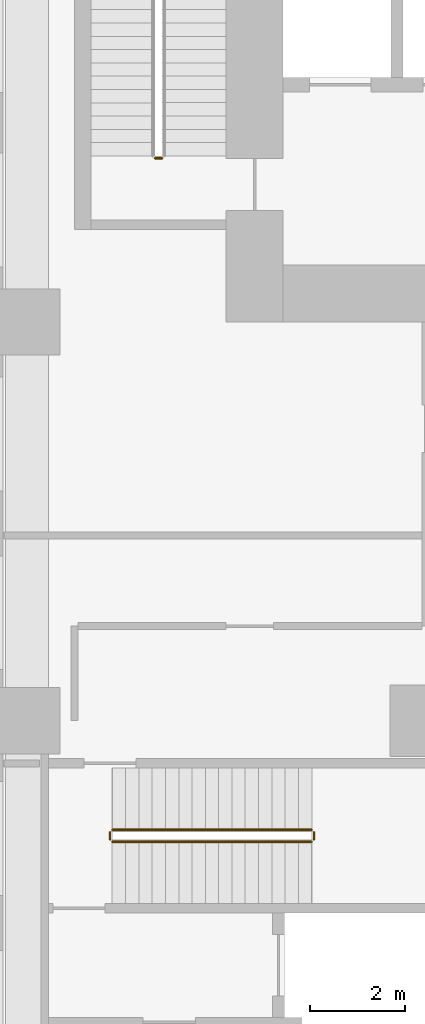
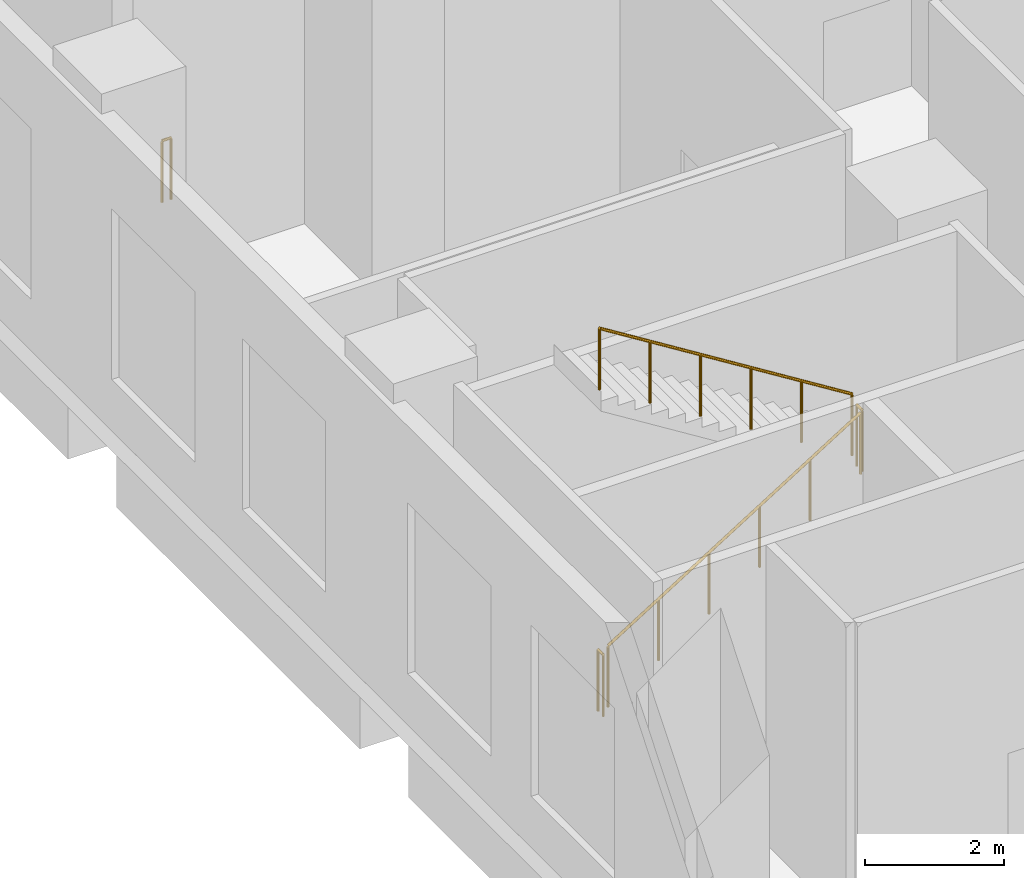
# One storey, part 13 of 17: 5 railings.
"""IFC4 building model written with IfcOpenShell, lengths in metres."""

from ifc_helpers import new_model, si_unit, direction, frame, origin, origin_2d, place, context, subcontext, project, spatial, circle, extrude, material, type_object, element, save


model = new_model("IFC4")

# Units and contexts
model_context = context("Model", 3, precision=1e-05, world=origin(), true_north=direction((0.0, 1.0)))
body_context = subcontext(model_context, "Body", "Model", "MODEL_VIEW")
ifc_project = project(units=[si_unit("LENGTHUNIT", "METRE"), si_unit("AREAUNIT", "SQUARE_METRE"), si_unit("VOLUMEUNIT", "CUBIC_METRE"), si_unit("PLANEANGLEUNIT", "RADIAN"), si_unit("MASSUNIT", "GRAM", prefix="KILO")], contexts=[model_context])

# Site, building, storey
site_placement = place(None, origin())
site = spatial("IfcSite", under=ifc_project, at=site_placement, CompositionType="ELEMENT")
building_placement = place(site_placement, origin())
building = spatial("IfcBuilding", under=site, at=building_placement, Name="Kawkab Arch Medical Tower", CompositionType="ELEMENT")
storey_placement = place(building_placement, frame((0.0, 0.0, 7.0)))
storey = spatial("IfcBuildingStorey", under=building, at=storey_placement, Name="L02", CompositionType="ELEMENT", Elevation=7.0)

# Railings
ifc_material = material(Name="Stainless steel", Category="steel")
railing_type = type_object("IfcRailingType", Name="Stair guard 1100", PredefinedType="GUARDRAIL", material=ifc_material)
railing_1_placement = place(storey_placement, frame((2.85009765625, -21.75, 0.0)))
element("IfcRailing", 1, at=railing_1_placement, inside=storey, type_object=railing_type, Name="L02 ST2 stair guard 4", PredefinedType="GUARDRAIL", context=body_context, shape_type="SweptSolid", body=[
    extrude(circle(Radius=0.02392578125, at=origin_2d()), frame((0.0, 0.0, 1.076171875), z_axis=(-1.0, 0.0, 0.0), x_axis=(0.0, -1.0, 0.0)), (0.0, 0.0, 1.0), 0.150146484375),
    extrude(circle(Radius=0.02099609375, at=origin_2d()), origin(), (0.0, 0.0, 1.0), 1.052001953125),
    extrude(circle(Radius=0.02099609375, at=origin_2d()), frame((-0.150146484375, 0.0, 0.0)), (0.0, 0.0, 1.0), 1.052001953125),
])
railing_2_placement = place(storey_placement, frame((1.800048828125, -36.14990234375, 0.175048828125)))
element("IfcRailing", 2, at=railing_2_placement, inside=storey, type_object=railing_type, Name="L02 ST6 stair guard 1", PredefinedType="GUARDRAIL", context=body_context, shape_type="SweptSolid", body=[
    extrude(circle(Radius=0.02392578125, at=origin_2d()), frame((0.0, 0.0, 1.076171875), z_axis=(0.847995534698, 0.0, 0.530003370869), x_axis=(0.0, 1.0, 0.0)), (0.0, 0.0, 1.0), 4.952880859375),
    extrude(circle(Radius=0.02099609375, at=origin_2d()), origin(), (0.0, 0.0, 1.0), 1.052001953125),
    extrude(circle(Radius=0.02099609375, at=origin_2d()), frame((0.840087890625, 0.0, 0.52490234375)), (0.0, 0.0, 1.0), 1.052001953125),
    extrude(circle(Radius=0.02099609375, at=origin_2d()), frame((1.679931640625, 0.0, 1.050048828125)), (0.0, 0.0, 1.0), 1.052001953125),
    extrude(circle(Radius=0.02099609375, at=origin_2d()), frame((2.52001953125, 0.0, 1.574951171875)), (0.0, 0.0, 1.0), 1.052001953125),
    extrude(circle(Radius=0.02099609375, at=origin_2d()), frame((3.35986328125, 0.0, 2.10009765625)), (0.0, 0.0, 1.0), 1.052001953125),
    extrude(circle(Radius=0.02099609375, at=origin_2d()), frame((4.199951171875, 0.0, 2.625)), (0.0, 0.0, 1.0), 1.052001953125),
])
railing_3_placement = place(storey_placement, frame((6.050048828125, -36.10009765625, 2.800048828125)))
element("IfcRailing", 3, at=railing_3_placement, inside=storey, type_object=railing_type, Name="L02 ST6 stair guard 2", PredefinedType="GUARDRAIL", context=body_context, shape_type="SweptSolid", body=[
    extrude(circle(Radius=0.02392578125, at=origin_2d()), frame((0.0, 0.0, 1.076171875), z_axis=(0.0, 1.0, 0.0), x_axis=(-1.0, 0.0, 0.0)), (0.0, 0.0, 1.0), 0.150146484375),
    extrude(circle(Radius=0.02099609375, at=origin_2d()), origin(), (0.0, 0.0, 1.0), 1.052001953125),
    extrude(circle(Radius=0.02099609375, at=origin_2d()), frame((0.0, 0.150146484375, 0.0)), (0.0, 0.0, 1.0), 1.052001953125),
])
railing_4_placement = place(storey_placement, frame((6.0, -35.89990234375, 2.97509765625)))
element("IfcRailing", 4, at=railing_4_placement, inside=storey, type_object=railing_type, Name="L02 ST6 stair guard 3", PredefinedType="GUARDRAIL", context=body_context, shape_type="SweptSolid", body=[
    extrude(circle(Radius=0.02392578125, at=origin_2d()), frame((0.0, 0.0, 1.076171875), z_axis=(-0.847995534698, 0.0, 0.530003370869), x_axis=(0.0, -1.0, 0.0)), (0.0, 0.0, 1.0), 4.952880859375),
    extrude(circle(Radius=0.02099609375, at=origin_2d()), origin(), (0.0, 0.0, 1.0), 1.052001953125),
    extrude(circle(Radius=0.02099609375, at=origin_2d()), frame((-0.840087890625, 0.0, 0.52490234375)), (0.0, 0.0, 1.0), 1.052001953125),
    extrude(circle(Radius=0.02099609375, at=origin_2d()), frame((-1.679931640625, 0.0, 1.050048828125)), (0.0, 0.0, 1.0), 1.052001953125),
    extrude(circle(Radius=0.02099609375, at=origin_2d()), frame((-2.52001953125, 0.0, 1.574951171875)), (0.0, 0.0, 1.0), 1.052001953125),
    extrude(circle(Radius=0.02099609375, at=origin_2d()), frame((-3.35986328125, 0.0, 2.10009765625)), (0.0, 0.0, 1.0), 1.052001953125),
    extrude(circle(Radius=0.02099609375, at=origin_2d()), frame((-4.199951171875, 0.0, 2.625)), (0.0, 0.0, 1.0), 1.052001953125),
])
railing_5_placement = place(storey_placement, frame((1.75, -36.10009765625, 0.0)))
element("IfcRailing", 5, at=railing_5_placement, inside=storey, type_object=railing_type, Name="L02 ST6 stair guard 4", PredefinedType="GUARDRAIL", context=body_context, shape_type="SweptSolid", body=[
    extrude(circle(Radius=0.02392578125, at=origin_2d()), frame((0.0, 0.0, 1.076171875), z_axis=(0.0, 1.0, 0.0), x_axis=(-1.0, 0.0, 0.0)), (0.0, 0.0, 1.0), 0.150146484375),
    extrude(circle(Radius=0.02099609375, at=origin_2d()), origin(), (0.0, 0.0, 1.0), 1.052001953125),
    extrude(circle(Radius=0.02099609375, at=origin_2d()), frame((0.0, 0.150146484375, 0.0)), (0.0, 0.0, 1.0), 1.052001953125),
])

save(model, "model.ifc")
